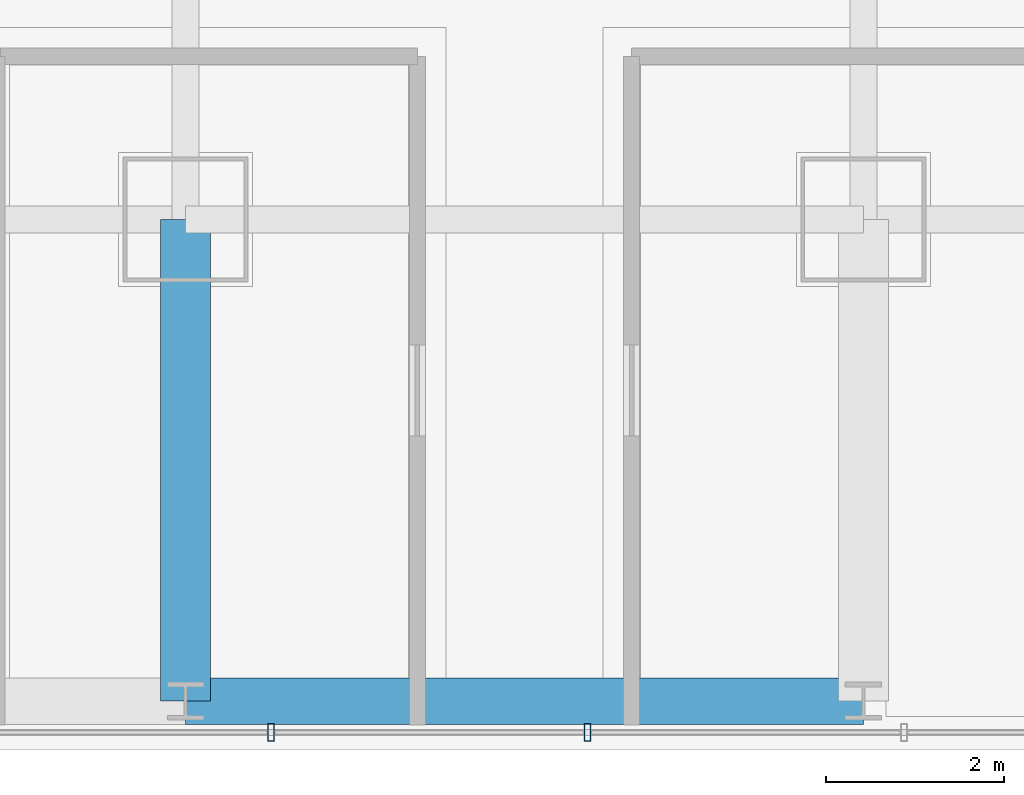
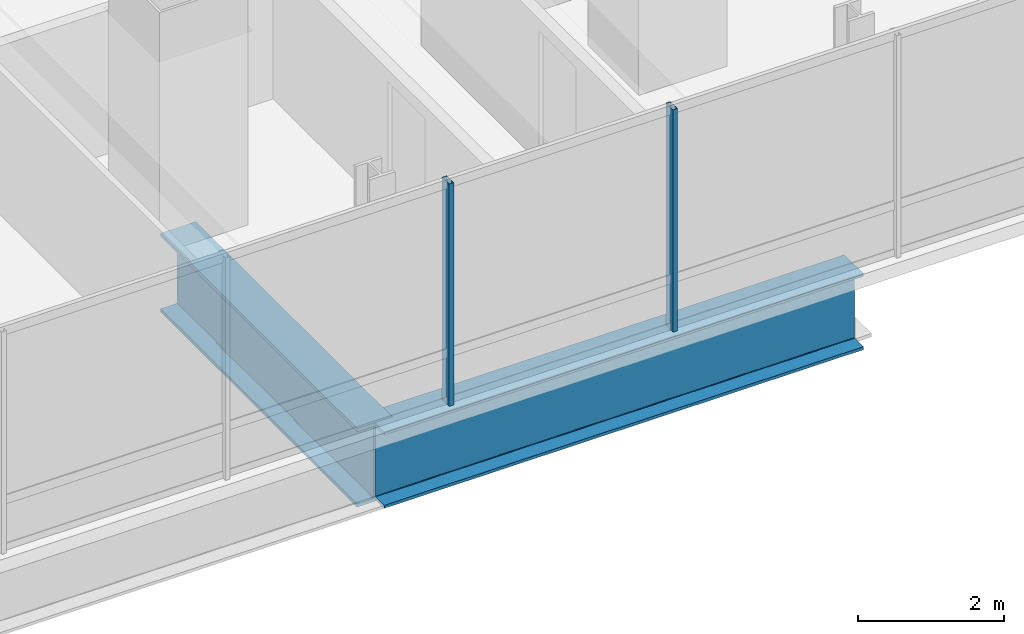
# One storey, part 5 of 35: 2 beams, 2 members, 1 element without a shape of its own.
"""IFC4 building model written with IfcOpenShell, lengths in metres."""

from ifc_helpers import new_model, si_unit, direction, frame, origin, origin_2d, place, context, subcontext, project, spatial, hollow_rectangle, i_section, extrude, material, material_profile, profile_set, type_object, element, aggregate, save


model = new_model("IFC4")

# Units and contexts
model_context = context("Model", 3, precision=1e-05, world=origin(), true_north=direction((0.0, 1.0)))
body_context = subcontext(model_context, "Body", "Model", "MODEL_VIEW")
ifc_project = project(units=[si_unit("LENGTHUNIT", "METRE"), si_unit("AREAUNIT", "SQUARE_METRE"), si_unit("VOLUMEUNIT", "CUBIC_METRE"), si_unit("PLANEANGLEUNIT", "RADIAN"), si_unit("MASSUNIT", "GRAM", prefix="KILO")], contexts=[model_context])

# Site, building, storey
site_placement = place(None, origin())
site = spatial("IfcSite", under=ifc_project, at=site_placement, CompositionType="ELEMENT")
building_placement = place(site_placement, origin())
building = spatial("IfcBuilding", under=site, at=building_placement, Name="Punatoya Terracotta Tower", CompositionType="ELEMENT")
storey_placement = place(building_placement, frame((0.0, 0.0, 232.949951171875)))
storey = spatial("IfcBuildingStorey", under=building, at=storey_placement, Name="L55", CompositionType="ELEMENT", Elevation=232.949951171875)

# Beams
ifc_material_1 = material(Name="Steel S460", Category="steel")
ifc_material_profile_1 = material_profile(ifc_material_1, i_section(OverallWidth=0.56005859375, OverallDepth=1.320068359375, WebThickness=0.035888671875, FlangeThickness=0.054931640625, FilletRadius=0.01806640625, at=origin_2d()))
ifc_profile_set_1 = profile_set([ifc_material_profile_1], Name="Steel S460")
beam_type_1 = type_object("IfcBeamType", Name="BM-TG-BLK", PredefinedType="BEAM", material=ifc_profile_set_1)
beam_1_placement = place(storey_placement, frame((-3.800048828125, -22.89990234375, -0.8798828125), z_axis=(0.0, 1.0, 0.0), x_axis=(-1.0, 0.0, 0.0)))
element("IfcBeam", 1, at=beam_1_placement, inside=storey, type_object=beam_type_1, Name="BM-L55-CANT-S2", PredefinedType="BEAM", context=body_context, shape_type="SweptSolid", body=[
    extrude(i_section(OverallWidth=0.56005859375, OverallDepth=1.320068359375, WebThickness=0.035888671875, FlangeThickness=0.054931640625, FilletRadius=0.01806640625, at=origin_2d()), origin(), (0.0, 0.0, 1.0), 5.39990234375),
])
ifc_material_profile_2 = material_profile(ifc_material_1, i_section(OverallWidth=0.52001953125, OverallDepth=1.280029296875, WebThickness=0.031982421875, FlangeThickness=0.050048828125, FilletRadius=0.01806640625, at=origin_2d()))
ifc_profile_set_2 = profile_set([ifc_material_profile_2], Name="Steel S460")
beam_type_2 = type_object("IfcBeamType", Name="BM-TG-NCK", PredefinedType="BEAM", material=ifc_profile_set_2)
beam_2_placement = place(storey_placement, frame((-3.800048828125, -22.89990234375, -0.85986328125), z_axis=(1.0, 0.0, 0.0), x_axis=(0.0, 1.0, 0.0)))
element("IfcBeam", 2, at=beam_2_placement, inside=storey, type_object=beam_type_2, Name="BM-L55-PER-S2", PredefinedType="BEAM", context=body_context, shape_type="SweptSolid", body=[
    extrude(i_section(OverallWidth=0.52001953125, OverallDepth=1.280029296875, WebThickness=0.031982421875, FlangeThickness=0.050048828125, FilletRadius=0.01806640625, at=origin_2d()), origin(), (0.0, 0.0, 1.0), 7.60009765625),
])

# Curtain wall, members
ifc_material_2 = material(Name="Aluminium 6063-T6 + Double Low-E Glass", Category="aluminium")
curtain_wall_type = type_object("IfcCurtainWallType", Name="CW-M2", PredefinedType="NOTDEFINED", material=ifc_material_2)
curtain_wall_placement = place(storey_placement, origin())
curtain_wall = element("IfcCurtainWall", 3, at=curtain_wall_placement, inside=storey, type_object=curtain_wall_type, Name="L55 Curtain Wall CW-L55-S01-1", PredefinedType="NOTDEFINED")
ifc_material_3 = material(Name="Aluminium 6063-T6", Category="aluminium")
ifc_material_profile_3 = material_profile(ifc_material_3, hollow_rectangle(XDim=0.072021484375, YDim=0.195068359375, WallThickness=0.00439453125, at=origin_2d()))
ifc_profile_set_3 = profile_set([ifc_material_profile_3], Name="Aluminium 6063-T6")
member_type = type_object("IfcMemberType", Name="CW-MUL-M2", PredefinedType="MULLION", material=ifc_profile_set_3)
member_1_placement = place(storey_placement, frame((-2.842041015625, -23.25, 0.0), z_axis=(0.0, 0.0, 1.0), x_axis=(1.0, 0.0, 0.0)))
member_1 = element("IfcMember", 4, at=member_1_placement, type_object=member_type, Name="CW-L55-S01-1 Mullion 04", PredefinedType="MULLION", context=body_context, shape_type="SweptSolid", body=[
    extrude(hollow_rectangle(XDim=0.072021484375, YDim=0.195068359375, WallThickness=0.00439453125, at=origin_2d()), origin(), (0.0, 0.0, 1.0), 3.72998046875),
])
member_2_placement = place(storey_placement, frame((0.70654296875, -23.25, 0.0), z_axis=(0.0, 0.0, 1.0), x_axis=(1.0, 0.0, 0.0)))
member_2 = element("IfcMember", 5, at=member_2_placement, type_object=member_type, Name="CW-L55-S01-1 Mullion 05", PredefinedType="MULLION", context=body_context, shape_type="SweptSolid", body=[
    extrude(hollow_rectangle(XDim=0.072021484375, YDim=0.195068359375, WallThickness=0.00439453125, at=origin_2d()), origin(), (0.0, 0.0, 1.0), 3.72998046875),
])
aggregate(curtain_wall, [member_1, member_2])

save(model, "model.ifc")
